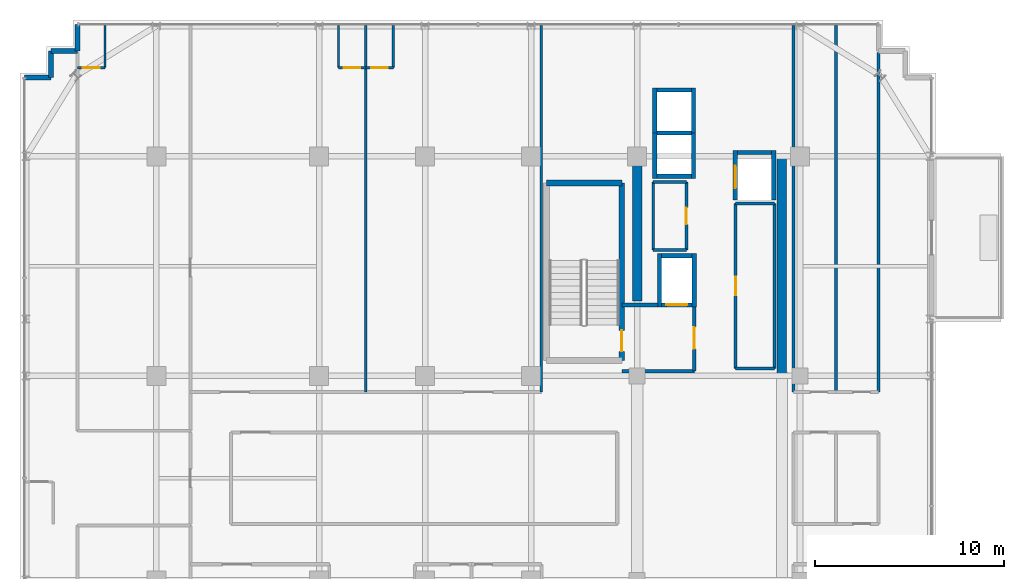
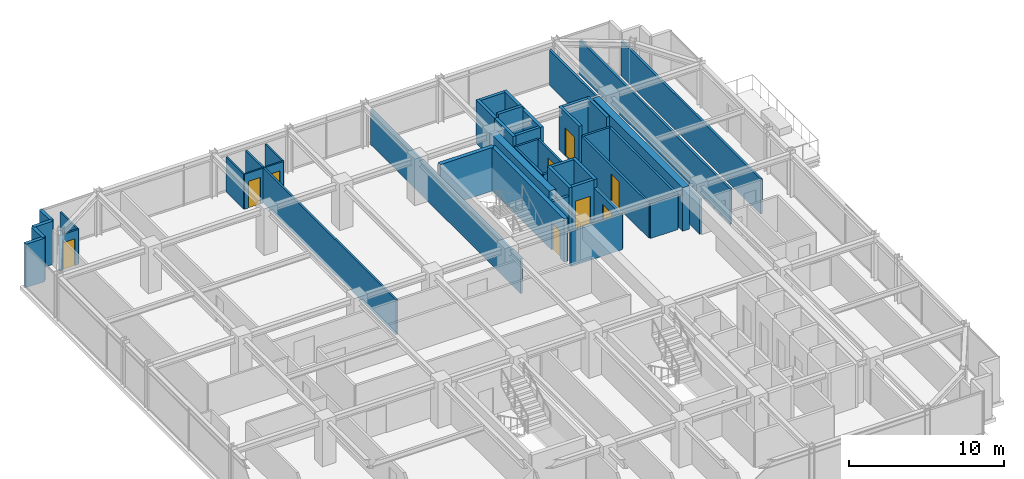
# One storey, part 30 of 34: 44 walls, 9 doors, 9 openings.
"""IFC4 building model written with IfcOpenShell, lengths in metres."""

import ifcopenshell
import ifcopenshell.guid

model = None  # the IFC model being written
_history = None  # IfcOwnerHistory: only IFC2X3 demands one
_inside = {}  # id of a spatial element -> (the spatial element, [elements in it])
_under = {}  # id of a project, library or spatial element -> (it, [spatial elements below it])
_declared = {}  # id of a project -> (the project, [libraries it declares])
_typed = {}  # id of a type object -> (the type object, [elements of that type])
_made_of = {}  # id of a material, layer set ... -> (it, [elements and type objects made of it])


def new_model(schema):
    """Start an empty IFC model of exactly this schema.

    Asked for "IFC4X3", IfcOpenShell would pick the latest addendum, in which some entities
    have other attributes; the version numbers below select the first issue.
    IFC2X3 requires an IfcOwnerHistory on every rooted entity: one is made here for all.
    """
    global model, _history
    if schema == "IFC4X3":
        model = ifcopenshell.file(schema_version=(4, 3, 0, 0))
    else:
        model = ifcopenshell.file(schema=schema)
    _inside.clear()
    _under.clear()
    _declared.clear()
    _typed.clear()
    _made_of.clear()
    _history = None
    if model.schema == "IFC2X3":
        org = make("IfcOrganization", Name="unknown")
        user = make(
            "IfcPersonAndOrganization",
            ThePerson=make("IfcPerson", FamilyName="unknown"),
            TheOrganization=org,
        )
        app = make(
            "IfcApplication",
            ApplicationDeveloper=org,
            Version="unknown",
            ApplicationFullName="unknown",
            ApplicationIdentifier="unknown",
        )
        _history = make(
            "IfcOwnerHistory",
            OwningUser=user,
            OwningApplication=app,
            ChangeAction="ADDED",
            CreationDate=0,
        )
    return model


def make(cls, **values):
    """One entity of the class cls with the attributes given. An attribute that is None is left unset."""
    return model.create_entity(
        cls, **{name: value for name, value in values.items() if value is not None}
    )


def rooted(cls, **values):
    """An entity with a GlobalId (a new one), such as an element, a storey or a relation."""
    return make(cls, GlobalId=ifcopenshell.guid.new(), OwnerHistory=_history, **values)


def si_unit(unit_type, name, prefix=None):
    """IfcSIUnit, for example si_unit("LENGTHUNIT", "METRE", prefix="MILLI")."""
    return make("IfcSIUnit", UnitType=unit_type, Prefix=prefix, Name=name)


def assignment(units):
    """IfcUnitAssignment: the units of a project."""
    return None if units is None else make("IfcUnitAssignment", Units=units)


def point(xyz):
    """IfcCartesianPoint."""
    return None if xyz is None else make("IfcCartesianPoint", Coordinates=xyz)


def direction(xyz):
    """IfcDirection."""
    return None if xyz is None else make("IfcDirection", DirectionRatios=xyz)


def frame(location, z_axis=None, x_axis=None):
    """IfcAxis2Placement3D, a coordinate frame: its origin and axes. An axis left out is left unset."""
    return make(
        "IfcAxis2Placement3D",
        Location=point(location),
        Axis=direction(z_axis),
        RefDirection=direction(x_axis),
    )


def frame_2d(location, x_axis=None):
    """IfcAxis2Placement2D, a coordinate frame in the plane: its origin and x axis."""
    return make(
        "IfcAxis2Placement2D", Location=point(location), RefDirection=direction(x_axis)
    )


def origin():
    """The frame at (0, 0, 0) with its axes left unset."""
    return frame((0.0, 0.0, 0.0))


def place(relative_to, where):
    """IfcLocalPlacement: puts the frame where relative to a parent placement (None: the world)."""
    return make(
        "IfcLocalPlacement", PlacementRelTo=relative_to, RelativePlacement=where
    )


def context(
    kind, dimensions, precision=None, world=None, true_north=None, identifier=None
):
    """IfcGeometricRepresentationContext, for example the 3D "Model" context."""
    return make(
        "IfcGeometricRepresentationContext",
        ContextIdentifier=identifier,
        ContextType=kind,
        CoordinateSpaceDimension=dimensions,
        Precision=precision,
        WorldCoordinateSystem=world,
        TrueNorth=true_north,
    )


def subcontext(parent, identifier, kind, view, scale=None):
    """IfcGeometricRepresentationSubContext, for example "Body" below "Model"."""
    return make(
        "IfcGeometricRepresentationSubContext",
        ContextIdentifier=identifier,
        ContextType=kind,
        ParentContext=parent,
        TargetScale=scale,
        TargetView=view,
    )


def project(units=None, contexts=None):
    """IfcProject with its units and contexts."""
    return rooted(
        "IfcProject",
        Name="project",
        RepresentationContexts=contexts,
        UnitsInContext=assignment(units),
    )


def spatial(cls, under=None, at=None, **own):
    """A site, building, storey or space (cls), placed at a placement, below another one or the project."""
    s = rooted(cls, ObjectPlacement=at, **own)
    if under is not None:
        _under.setdefault(under.id(), (under, []))[1].append(s)
    return s


def profile(cls, at=None, kind="AREA", **sizes):
    """A parametric profile (cls). Its sizes go by their IFC names, for example OverallWidth=200.0."""
    return make(cls, ProfileType=kind, Position=at, **sizes)


def rectangle(**sizes):
    """IfcRectangleProfileDef."""
    return profile("IfcRectangleProfileDef", **sizes)


def extrude(swept, where, along, depth):
    """IfcExtrudedAreaSolid: the profile swept, set in the frame where, extruded along a direction by depth."""
    return make(
        "IfcExtrudedAreaSolid",
        SweptArea=swept,
        Position=where,
        ExtrudedDirection=direction(along),
        Depth=depth,
    )


def shape(context_of_items, identifier, shape_type, items):
    """IfcShapeRepresentation: the items that make up one representation, for example the "Body"."""
    return make(
        "IfcShapeRepresentation",
        ContextOfItems=context_of_items,
        RepresentationIdentifier=identifier,
        RepresentationType=shape_type,
        Items=items,
    )


def source(mapping_origin, context_of_items, identifier, shape_type, items):
    """IfcRepresentationMap: a shape defined once, which mapped items show again and again."""
    return make(
        "IfcRepresentationMap",
        MappingOrigin=mapping_origin,
        MappedRepresentation=shape(context_of_items, identifier, shape_type, items),
    )


def transform(
    local_origin,
    x_axis=None,
    y_axis=None,
    z_axis=None,
    scale=None,
    scale2=None,
    scale3=None,
    uniform=True,
):
    """IfcCartesianTransformationOperator3D, or its non-uniform kind. x_axis, y_axis, z_axis: its Axis1, 2, 3."""
    if uniform:
        return make(
            "IfcCartesianTransformationOperator3D",
            Axis1=direction(x_axis),
            Axis2=direction(y_axis),
            LocalOrigin=point(local_origin),
            Scale=scale,
            Axis3=direction(z_axis),
        )
    return make(
        "IfcCartesianTransformationOperator3DnonUniform",
        Axis1=direction(x_axis),
        Axis2=direction(y_axis),
        LocalOrigin=point(local_origin),
        Scale=scale,
        Axis3=direction(z_axis),
        Scale2=scale2,
        Scale3=scale3,
    )


def mapped(mapping_source, mapping_target):
    """IfcMappedItem: shows the shape of a source again, moved by a transform."""
    return make(
        "IfcMappedItem", MappingSource=mapping_source, MappingTarget=mapping_target
    )


def material(Name=None, Category=None):
    """IfcMaterial."""
    return make("IfcMaterial", Name=Name, Category=Category)


def layer(
    of_material, thickness, ventilated=None, Name=None, Category=None, Priority=None
):
    """IfcMaterialLayer: one layer of a wall or slab, of a material (None: an air gap)."""
    return make(
        "IfcMaterialLayer",
        Material=of_material,
        LayerThickness=thickness,
        IsVentilated=ventilated,
        Name=Name,
        Category=Category,
        Priority=Priority,
    )


def layer_set(layers, Name=None):
    """IfcMaterialLayerSet."""
    return make("IfcMaterialLayerSet", MaterialLayers=layers, LayerSetName=Name)


def made_of(thing, what):
    """Note that an element or type object is made of a material, layer set ...; save() writes the relation."""
    if what is not None:
        _made_of.setdefault(what.id(), (what, []))[1].append(thing)
    return thing


def type_object(cls, material=None, **own):
    """A type object (cls), such as IfcWallType, which elements share."""
    return made_of(rooted(cls, **own), material)


def element(
    cls,
    number,
    at=None,
    inside=None,
    cuts=None,
    type_object=None,
    material=None,
    context=None,
    identifier="Body",
    shape_type=None,
    held_by="IfcProductDefinitionShape",
    body=None,
    shapes=None,
    **own,
):
    """One element of the class cls, such as IfcWall. Its Tag is "e" and its number.

    at: its placement. inside: the storey or other place that contains it. cuts: it is an
    opening in that element (IfcRelVoidsElement). A single representation is given by context,
    identifier, shape_type and body (its items); several are given by shapes. held_by: the class
    of the entity that holds the representations. save() writes the other relations.
    """
    e = rooted(cls, Tag="e%d" % number, ObjectPlacement=at, **own)
    if body is not None:
        shapes = [shape(context, identifier, shape_type, body)]
    if shapes is not None:
        e.Representation = make(held_by, Representations=shapes)
    if inside is not None:
        _inside.setdefault(inside.id(), (inside, []))[1].append(e)
    if cuts is not None:
        rooted(
            "IfcRelVoidsElement", RelatingBuildingElement=cuts, RelatedOpeningElement=e
        )
    if type_object is not None:
        _typed.setdefault(type_object.id(), (type_object, []))[1].append(e)
    return made_of(e, material)


def fill(opening, filler):
    """IfcRelFillsElement: the door or window that sits in an opening."""
    return rooted(
        "IfcRelFillsElement",
        RelatingOpeningElement=opening,
        RelatedBuildingElement=filler,
    )


def aggregate(whole, parts):
    """IfcRelAggregates: a whole, such as a stair, and the parts it consists of."""
    return rooted("IfcRelAggregates", RelatingObject=whole, RelatedObjects=parts)


def save(model, path):
    """Write the relations noted so far, then the file.

    IfcRelAggregates (storeys below a building ...), IfcRelContainedInSpatialStructure (elements
    in a storey), IfcRelDefinesByType, IfcRelAssociatesMaterial and IfcRelDeclares: one each for
    every whole, place, type object, material and project.
    """
    for whole, parts in _under.values():
        aggregate(whole, parts)
    for where, things in _inside.values():
        rooted(
            "IfcRelContainedInSpatialStructure",
            RelatedElements=things,
            RelatingStructure=where,
        )
    for kind, things in _typed.values():
        rooted("IfcRelDefinesByType", RelatedObjects=things, RelatingType=kind)
    for what, things in _made_of.values():
        rooted("IfcRelAssociatesMaterial", RelatedObjects=things, RelatingMaterial=what)
    for by, libraries in _declared.values():
        rooted("IfcRelDeclares", RelatingContext=by, RelatedDefinitions=libraries)
    model.write(path)


model = new_model("IFC4")

# Units and contexts
model_context = context("Model", 3, precision=1e-05, world=origin(), true_north=direction((0.0, 1.0)))
body_context = subcontext(model_context, "Body", "Model", "MODEL_VIEW")
ifc_project = project(units=[si_unit("LENGTHUNIT", "METRE"), si_unit("AREAUNIT", "SQUARE_METRE"), si_unit("VOLUMEUNIT", "CUBIC_METRE"), si_unit("PLANEANGLEUNIT", "RADIAN"), si_unit("MASSUNIT", "GRAM", prefix="KILO")], contexts=[model_context])

# Site, building, storey
site_placement = place(None, origin())
site = spatial("IfcSite", under=ifc_project, at=site_placement, CompositionType="ELEMENT")
building_placement = place(site_placement, origin())
building = spatial("IfcBuilding", under=site, at=building_placement, Name="Nahalor Promenade Grand Hotel", CompositionType="ELEMENT")
storey_placement = place(building_placement, frame((0.0, 0.0, 238.199951171875)))
storey = spatial("IfcBuildingStorey", under=building, at=storey_placement, Name="L61", CompositionType="ELEMENT", Elevation=238.199951171875)

# Walls
ifc_material_1 = material(Name="Concrete B-60 (C50/60)", Category="concrete")
ifc_layer_1 = layer(ifc_material_1, 0.5)
ifc_layer_set_1 = layer_set([ifc_layer_1], Name="Concrete B-60 (C50/60)")
wall_type_1 = type_object("IfcWallType", Name="Wall-CoreShear-500", PredefinedType="SHEAR", material=ifc_layer_set_1)
shared_shape_1 = source(origin(), body_context, "Body", "SweptSolid", [
    extrude(rectangle(XDim=7.64990234375, YDim=0.5, at=frame_2d((3.824951171875, 0.0))), origin(), (0.0, 0.0, 1.0), 3.41015625),
])
wall_1_placement = place(storey_placement, frame((8.39990234375, 9.35009765625, 0.0), z_axis=(0.0, 0.0, 1.0), x_axis=(0.0, 1.0, 0.0)))
element("IfcWall", 1, at=wall_1_placement, inside=storey, type_object=wall_type_1, Name="CWALL-L61-NW", PredefinedType="SHEAR", context=body_context, shape_type="MappedRepresentation", body=[
    mapped(shared_shape_1, transform((0.0, 0.0, 0.0), scale=1.0)),
])
shared_shape_2 = source(origin(), body_context, "Body", "SweptSolid", [
    extrude(rectangle(XDim=11.60009765625, YDim=0.5, at=frame_2d((5.800048828125, 0.0))), origin(), (0.0, 0.0, 1.0), 3.41015625),
])
wall_2_placement = place(storey_placement, frame((16.050048828125, 5.39990234375, 0.0), z_axis=(0.0, 0.0, 1.0), x_axis=(0.0, 1.0, 0.0)))
element("IfcWall", 2, at=wall_2_placement, inside=storey, type_object=wall_type_1, Name="CWALL-L61-NE", PredefinedType="SHEAR", context=body_context, shape_type="MappedRepresentation", body=[
    mapped(shared_shape_2, transform((0.0, 0.0, 0.0), scale=1.0)),
])
ifc_material_2 = material(Name="Concrete B-50 (C40/50)", Category="concrete")
ifc_layer_2 = layer(ifc_material_2, 0.300048828125)
ifc_layer_set_2 = layer_set([ifc_layer_2], Name="Concrete B-50 (C40/50)")
wall_type_2 = type_object("IfcWallType", Name="Wall-ShaftShear-300", PredefinedType="SHEAR", material=ifc_layer_set_2)
shared_shape_3 = source(origin(), body_context, "Body", "SweptSolid", [
    extrude(rectangle(XDim=3.97998046875, YDim=0.300048828125, at=frame_2d((1.989990234375, 0.0))), origin(), (0.0, 0.0, 1.0), 3.41015625),
])
wall_3_placement = place(storey_placement, frame((3.610107421875, 15.590087890625, 0.0), z_axis=(0.0, 0.0, 1.0), x_axis=(1.0, 0.0, 0.0)))
element("IfcWall", 3, at=wall_3_placement, inside=storey, type_object=wall_type_2, Name="L61 Exit Stair ST1 Shaft Wall N", PredefinedType="SHEAR", context=body_context, shape_type="MappedRepresentation", body=[
    mapped(shared_shape_3, transform((0.0, 0.0, 0.0), scale=1.0)),
])

# Wall, opening, door
shared_shape_4 = source(origin(), body_context, "Body", "SweptSolid", [
    extrude(rectangle(XDim=9.380126953125, YDim=0.300048828125, at=frame_2d((4.68994140625, 0.0))), origin(), (0.0, 0.0, 1.0), 3.41015625),
])
wall_4_placement = place(storey_placement, frame((7.590087890625, 6.2099609375, 0.0), z_axis=(0.0, 0.0, 1.0), x_axis=(0.0, 1.0, 0.0)))
wall_4 = element("IfcWall", 4, at=wall_4_placement, inside=storey, type_object=wall_type_2, Name="L61 Exit Stair ST1 Shaft Wall E", PredefinedType="SHEAR", context=body_context, shape_type="MappedRepresentation", body=[
    mapped(shared_shape_4, transform((0.0, 0.0, 0.0), scale=1.0)),
])
opening_1_placement = place(wall_4_placement, frame((0.489990234375, 0.0, 0.0)))
opening_1 = element("IfcOpeningElement", 5, at=opening_1_placement, cuts=wall_4, Name="Opening D-ST1", PredefinedType="OPENING", context=body_context, shape_type="SweptSolid", body=[
    extrude(rectangle(XDim=1.10009765625, YDim=2.14990234375, at=frame_2d((0.550048828125, 1.074951171875))), frame((0.0, 0.159912109375, 0.0), z_axis=(0.0, -1.0, 0.0), x_axis=(1.0, 0.0, 0.0)), (0.0, 0.0, 1.0), 0.320068359375),
])
ifc_material_3 = material(Name="Steel S355JR", Category="steel")
door_type_1 = type_object("IfcDoorType", Name="Door-StairFire-1100", OperationType="NOTDEFINED", PredefinedType="DOOR", material=ifc_material_3)
shared_shape_5 = source(origin(), body_context, "Body", "SweptSolid", [
    extrude(rectangle(XDim=1.10009765625, YDim=2.14990234375, at=frame_2d((0.550048828125, 1.074951171875))), frame((0.0, 0.02490234375, 0.0), z_axis=(0.0, -1.0, 0.0), x_axis=(1.0, 0.0, 0.0)), (0.0, 0.0, 1.0), 0.050048828125),
])
door_1_placement = place(opening_1_placement, origin())
door_1 = element("IfcDoor", 6, at=door_1_placement, inside=storey, type_object=door_type_1, Name="DR-STAIR-ST1-L61", OperationType="SINGLE_SWING_RIGHT", OverallHeight=2.14990234375, OverallWidth=1.10009765625, PredefinedType="DOOR", context=body_context, shape_type="MappedRepresentation", body=[
    mapped(shared_shape_5, transform((0.0, 0.0, 0.0), scale=1.0)),
])
fill(opening_1, door_1)

# Walls
ifc_layer_3 = layer(ifc_material_2, 0.219970703125)
ifc_layer_set_3 = layer_set([ifc_layer_3], Name="Concrete B-50 (C40/50)")
wall_type_3 = type_object("IfcWallType", Name="Wall-LiftShaft-220", PredefinedType="SHEAR", material=ifc_layer_set_3)
shared_shape_6 = source(origin(), body_context, "Body", "SweptSolid", [
    extrude(rectangle(XDim=1.820068359375, YDim=0.219970703125, at=frame_2d((0.91015625, 0.0))), origin(), (0.0, 0.0, 1.0), 3.41015625),
])
for number, where, z_axis, x_axis, name in (
    (7, (9.43994140625, 15.949951171875, 0.0), (0.0, 0.0, 1.0), (1.0, 0.0, 0.0), "L61 Lift OB1 Hoistway Wall S"),
    (8, (9.43994140625, 20.5, 0.0), (0.0, 0.0, 1.0), (1.0, 0.0, 0.0), "L61 Lift OB2 Hoistway Wall N"),
    (9, (13.68994140625, 17.199951171875, 0.0), (0.0, 0.0, 1.0), (1.0, 0.0, 0.0), "L61 Lift SV1 Hoistway Wall N"),
):
    element("IfcWall", number, at=place(storey_placement, frame(where, z_axis=z_axis, x_axis=x_axis)), inside=storey, type_object=wall_type_3, Name=name, PredefinedType="SHEAR", context=body_context, shape_type="MappedRepresentation", body=[
        mapped(shared_shape_6, transform((0.0, 0.0, 0.0), scale=1.0)),
    ])
shared_shape_7 = source(origin(), body_context, "Body", "SweptSolid", [
    extrude(rectangle(XDim=1.820068359375, YDim=0.219970703125, at=frame_2d((0.91015625, 0.0))), origin(), (0.0, 0.0, 1.0), 3.699951171875),
])
wall_5_placement = place(storey_placement, frame((9.43994140625, 18.22509765625, 0.0), z_axis=(0.0, 0.0, 1.0), x_axis=(1.0, 0.0, 0.0)))
element("IfcWall", 10, at=wall_5_placement, inside=storey, type_object=wall_type_3, Name="L61 Lift OB1 Hoistway Wall N", PredefinedType="SHEAR", context=body_context, shape_type="MappedRepresentation", body=[
    mapped(shared_shape_7, transform((0.0, 0.0, 0.0), scale=1.0)),
])
shared_shape_8 = source(origin(), body_context, "Body", "SweptSolid", [
    extrude(rectangle(XDim=2.385009765625, YDim=0.219970703125, at=frame_2d((1.1923828125, 0.0))), origin(), (0.0, 0.0, 1.0), 3.41015625),
])
for number, where, z_axis, x_axis, name in (
    (11, (9.330078125, 15.840087890625, 0.0), (0.0, 0.0, 1.0), (0.0, 1.0, 0.0), "L61 Lift OB1 Hoistway Wall W"),
    (12, (11.3701171875, 15.840087890625, 0.0), (0.0, 0.0, 1.0), (0.0, 1.0, 0.0), "L61 Lift OB1 Hoistway Wall E"),
    (13, (9.330078125, 18.22509765625, 0.0), (0.0, 0.0, 1.0), (0.0, 1.0, 0.0), "L61 Lift OB2 Hoistway Wall W"),
    (14, (11.3701171875, 18.22509765625, 0.0), (0.0, 0.0, 1.0), (0.0, 1.0, 0.0), "L61 Lift OB2 Hoistway Wall E"),
):
    element("IfcWall", number, at=place(storey_placement, frame(where, z_axis=z_axis, x_axis=x_axis)), inside=storey, type_object=wall_type_3, Name=name, PredefinedType="SHEAR", context=body_context, shape_type="MappedRepresentation", body=[
        mapped(shared_shape_8, transform((0.0, 0.0, 0.0), scale=1.0)),
    ])
shared_shape_9 = source(origin(), body_context, "Body", "SweptSolid", [
    extrude(rectangle(XDim=2.820068359375, YDim=0.219970703125, at=frame_2d((1.41015625, 0.0))), origin(), (0.0, 0.0, 1.0), 3.41015625),
])
for number, where, z_axis, x_axis, name in (
    (15, (9.580078125, 9.0400390625, 0.0), (0.0, 0.0, 1.0), (0.0, 1.0, 0.0), "L61 Lift FL1 Hoistway Wall W"),
    (16, (11.419921875, 9.0400390625, 0.0), (0.0, 0.0, 1.0), (0.0, 1.0, 0.0), "L61 Lift FL1 Hoistway Wall E"),
):
    element("IfcWall", number, at=place(storey_placement, frame(where, z_axis=z_axis, x_axis=x_axis)), inside=storey, type_object=wall_type_3, Name=name, PredefinedType="SHEAR", context=body_context, shape_type="MappedRepresentation", body=[
        mapped(shared_shape_9, transform((0.0, 0.0, 0.0), scale=1.0)),
    ])

# Wall, opening, door
shared_shape_10 = source(origin(), body_context, "Body", "SweptSolid", [
    extrude(rectangle(XDim=1.6201171875, YDim=0.219970703125, at=frame_2d((0.81005859375, 0.0))), origin(), (0.0, 0.0, 1.0), 3.41015625),
])
wall_6_placement = place(storey_placement, frame((9.68994140625, 9.14990234375, 0.0), z_axis=(0.0, 0.0, 1.0), x_axis=(1.0, 0.0, 0.0)))
wall_6 = element("IfcWall", 17, at=wall_6_placement, inside=storey, type_object=wall_type_3, Name="L61 Lift FL1 Hoistway Wall S", PredefinedType="SHEAR", context=body_context, shape_type="MappedRepresentation", body=[
    mapped(shared_shape_10, transform((0.0, 0.0, 0.0), scale=1.0)),
])
opening_2_placement = place(wall_6_placement, frame((0.260009765625, 0.0, 0.0)))
opening_2 = element("IfcOpeningElement", 18, at=opening_2_placement, cuts=wall_6, Name="Opening LD-02", PredefinedType="OPENING", context=body_context, shape_type="SweptSolid", body=[
    extrude(rectangle(XDim=1.10009765625, YDim=2.199951171875, at=frame_2d((0.550048828125, 1.10009765625))), frame((0.0, 0.119873046875, 0.0), z_axis=(0.0, -1.0, 0.0), x_axis=(1.0, 0.0, 0.0)), (0.0, 0.0, 1.0), 0.239990234375),
])
door_type_2 = type_object("IfcDoorType", Name="Door-LiftFF-1100", OperationType="DOUBLE_DOOR_SLIDING", PredefinedType="DOOR", material=ifc_material_3)
shared_shape_11 = source(origin(), body_context, "Body", "SweptSolid", [
    extrude(rectangle(XDim=1.10009765625, YDim=2.199951171875, at=frame_2d((0.550048828125, 1.10009765625))), frame((0.0, 0.02490234375, 0.0), z_axis=(0.0, -1.0, 0.0), x_axis=(1.0, 0.0, 0.0)), (0.0, 0.0, 1.0), 0.050048828125),
])
door_2_placement = place(opening_2_placement, frame((1.10009765625, 0.0, 0.0), z_axis=(0.0, 0.0, 1.0), x_axis=(-1.0, 0.0, 0.0)))
door_2 = element("IfcDoor", 19, at=door_2_placement, inside=storey, type_object=door_type_2, Name="DR-LIFT-FL1-L61", OperationType="DOUBLE_DOOR_SLIDING", OverallHeight=2.199951171875, OverallWidth=1.10009765625, PredefinedType="DOOR", context=body_context, shape_type="MappedRepresentation", body=[
    mapped(shared_shape_11, transform((0.0, 0.0, 0.0), scale=1.0)),
])
fill(opening_2, door_2)

# Wall
wall_7_placement = place(storey_placement, frame((9.68994140625, 11.75, 0.0), z_axis=(0.0, 0.0, 1.0), x_axis=(1.0, 0.0, 0.0)))
element("IfcWall", 20, at=wall_7_placement, inside=storey, type_object=wall_type_3, Name="L61 Lift FL1 Hoistway Wall N", PredefinedType="SHEAR", context=body_context, shape_type="MappedRepresentation", body=[
    mapped(shared_shape_10, transform((0.0, 0.0, 0.0), scale=1.0)),
])

# Wall, opening, door
shared_shape_12 = source(origin(), body_context, "Body", "SweptSolid", [
    extrude(rectangle(XDim=2.610107421875, YDim=0.219970703125, at=frame_2d((1.30517578125, 0.0))), origin(), (0.0, 0.0, 1.0), 3.41015625),
])
wall_8_placement = place(storey_placement, frame((13.580078125, 14.699951171875, 0.0), z_axis=(0.0, 0.0, 1.0), x_axis=(0.0, 1.0, 0.0)))
wall_8 = element("IfcWall", 21, at=wall_8_placement, inside=storey, type_object=wall_type_3, Name="L61 Lift SV1 Hoistway Wall W", PredefinedType="SHEAR", context=body_context, shape_type="MappedRepresentation", body=[
    mapped(shared_shape_12, transform((0.0, 0.0, 0.0), scale=1.0)),
])
opening_3_placement = place(wall_8_placement, frame((0.60009765625, 0.0, 0.0)))
opening_3 = element("IfcOpeningElement", 22, at=opening_3_placement, cuts=wall_8, Name="Opening LD-03", PredefinedType="OPENING", context=body_context, shape_type="SweptSolid", body=[
    extrude(rectangle(XDim=1.199951171875, YDim=2.199951171875, at=frame_2d((0.60009765625, 1.10009765625))), frame((0.0, 0.119873046875, 0.0), z_axis=(0.0, -1.0, 0.0), x_axis=(1.0, 0.0, 0.0)), (0.0, 0.0, 1.0), 0.239990234375),
])
door_type_3 = type_object("IfcDoorType", Name="Door-LiftService-1200", OperationType="DOUBLE_DOOR_SLIDING", PredefinedType="DOOR", material=ifc_material_3)
shared_shape_13 = source(origin(), body_context, "Body", "SweptSolid", [
    extrude(rectangle(XDim=1.199951171875, YDim=2.199951171875, at=frame_2d((0.60009765625, 1.10009765625))), frame((0.0, 0.02490234375, 0.0), z_axis=(0.0, -1.0, 0.0), x_axis=(1.0, 0.0, 0.0)), (0.0, 0.0, 1.0), 0.050048828125),
])
door_3_placement = place(opening_3_placement, origin())
door_3 = element("IfcDoor", 23, at=door_3_placement, inside=storey, type_object=door_type_3, Name="DR-LIFT-SV1-L61", OperationType="DOUBLE_DOOR_SLIDING", OverallHeight=2.199951171875, OverallWidth=1.199951171875, PredefinedType="DOOR", context=body_context, shape_type="MappedRepresentation", body=[
    mapped(shared_shape_13, transform((0.0, 0.0, 0.0), scale=1.0)),
])
fill(opening_3, door_3)

# Walls
wall_9_placement = place(storey_placement, frame((15.6201171875, 14.699951171875, 0.0), z_axis=(0.0, 0.0, 1.0), x_axis=(0.0, 1.0, 0.0)))
element("IfcWall", 24, at=wall_9_placement, inside=storey, type_object=wall_type_3, Name="L61 Lift SV1 Hoistway Wall E", PredefinedType="SHEAR", context=body_context, shape_type="MappedRepresentation", body=[
    mapped(shared_shape_12, transform((0.0, 0.0, 0.0), scale=1.0)),
])
ifc_material_4 = material(Name="Concrete B-40 (C32/40)", Category="concrete")
ifc_layer_4 = layer(ifc_material_4, 0.25)
ifc_layer_set_4 = layer_set([ifc_layer_4], Name="Concrete B-40 (C32/40)")
wall_type_4 = type_object("IfcWallType", Name="Wall-BronzePier-250", PredefinedType="STANDARD", material=ifc_layer_set_4)
shared_shape_14 = source(origin(), body_context, "Body", "SweptSolid", [
    extrude(rectangle(XDim=1.39990234375, YDim=0.25, at=frame_2d((0.699951171875, 0.0))), origin(), (0.0, 0.0, 1.0), 3.41015625),
])
for number, where, z_axis, x_axis, name in (
    (25, (-21.159912109375, 22.56005859375, 0.0), (0.0, 0.0, 1.0), (0.0, 1.0, 0.0), "W-L61-SR-09"),
    (26, (-23.9599609375, 21.159912109375, 0.0), (0.0, 0.0, 1.0), (1.0, 0.0, 0.0), "W-L61-SR-12"),
):
    element("IfcWall", number, at=place(storey_placement, frame(where, z_axis=z_axis, x_axis=x_axis)), inside=storey, type_object=wall_type_4, Name=name, PredefinedType="STANDARD", context=body_context, shape_type="MappedRepresentation", body=[
        mapped(shared_shape_14, transform((0.0, 0.0, 0.0), scale=1.0)),
    ])
shared_shape_15 = source(origin(), body_context, "Body", "SweptSolid", [
    extrude(rectangle(XDim=1.400146484375, YDim=0.25, at=frame_2d((0.7001953125, 0.0))), origin(), (0.0, 0.0, 1.0), 3.41015625),
])
for number, where, z_axis, x_axis, name in (
    (27, (-22.56005859375, 22.56005859375, 0.0), (0.0, 0.0, 1.0), (1.0, 0.0, 0.0), "W-L61-SR-10"),
    (28, (-22.56005859375, 21.159912109375, 0.0), (0.0, 0.0, 1.0), (0.0, 1.0, 0.0), "W-L61-SR-11"),
):
    element("IfcWall", number, at=place(storey_placement, frame(where, z_axis=z_axis, x_axis=x_axis)), inside=storey, type_object=wall_type_4, Name=name, PredefinedType="STANDARD", context=body_context, shape_type="MappedRepresentation", body=[
        mapped(shared_shape_15, transform((0.0, 0.0, 0.0), scale=1.0)),
    ])
ifc_layer_5 = layer(ifc_material_4, 0.199951171875)
ifc_layer_set_5 = layer_set([ifc_layer_5], Name="Concrete B-40 (C32/40)")
wall_type_5 = type_object("IfcWallType", Name="Wall-PartFire-200", PredefinedType="PARTITIONING", material=ifc_layer_set_5)
shared_shape_16 = source(origin(), body_context, "Body", "SweptSolid", [
    extrude(rectangle(XDim=3.81982421875, YDim=0.199951171875, at=frame_2d((1.909912109375, 0.0))), origin(), (0.0, 0.0, 1.0), 2.75),
])
wall_10_placement = place(storey_placement, frame((7.60009765625, 5.64990234375, 0.0), z_axis=(0.0, 0.0, 1.0), x_axis=(1.0, 0.0, 0.0)))
element("IfcWall", 29, at=wall_10_placement, inside=storey, type_object=wall_type_5, Name="W-L61-FF1-S", PredefinedType="PARTITIONING", context=body_context, shape_type="MappedRepresentation", body=[
    mapped(shared_shape_16, transform((0.0, 0.0, 0.0), scale=1.0)),
])
shared_shape_17 = source(origin(), body_context, "Body", "SweptSolid", [
    extrude(rectangle(XDim=1.89990234375, YDim=0.199951171875, at=frame_2d((0.949951171875, 0.0))), origin(), (0.0, 0.0, 1.0), 2.75),
])
wall_11_placement = place(storey_placement, frame((7.60009765625, 9.14990234375, 0.0), z_axis=(0.0, 0.0, 1.0), x_axis=(1.0, 0.0, 0.0)))
element("IfcWall", 30, at=wall_11_placement, inside=storey, type_object=wall_type_5, Name="W-L61-FF1-N", PredefinedType="PARTITIONING", context=body_context, shape_type="MappedRepresentation", body=[
    mapped(shared_shape_17, transform((0.0, 0.0, 0.0), scale=1.0)),
])

# Wall, opening, door
shared_shape_18 = source(origin(), body_context, "Body", "SweptSolid", [
    extrude(rectangle(XDim=3.5, YDim=0.199951171875, at=frame_2d((1.75, 0.0))), origin(), (0.0, 0.0, 1.0), 2.75),
])
wall_12_placement = place(storey_placement, frame((11.419921875, 5.64990234375, 0.0), z_axis=(0.0, 0.0, 1.0), x_axis=(0.0, 1.0, 0.0)))
wall_12 = element("IfcWall", 31, at=wall_12_placement, inside=storey, type_object=wall_type_5, Name="W-L61-FF1-E", PredefinedType="PARTITIONING", context=body_context, shape_type="MappedRepresentation", body=[
    mapped(shared_shape_18, transform((0.0, 0.0, 0.0), scale=1.0)),
])
opening_4_placement = place(wall_12_placement, frame((1.175048828125, 0.0, 0.0)))
opening_4 = element("IfcOpeningElement", 32, at=opening_4_placement, cuts=wall_12, Name="Opening D-FF1", PredefinedType="OPENING", context=body_context, shape_type="SweptSolid", body=[
    extrude(rectangle(XDim=1.14990234375, YDim=2.14990234375, at=frame_2d((0.574951171875, 1.074951171875))), frame((0.0, 0.10986328125, 0.0), z_axis=(0.0, -1.0, 0.0), x_axis=(1.0, 0.0, 0.0)), (0.0, 0.0, 1.0), 0.219970703125),
])
door_type_4 = type_object("IfcDoorType", Name="Door-FFLobby-1150", OperationType="NOTDEFINED", PredefinedType="DOOR", material=ifc_material_3)
shared_shape_19 = source(origin(), body_context, "Body", "SweptSolid", [
    extrude(rectangle(XDim=1.14990234375, YDim=2.14990234375, at=frame_2d((0.574951171875, 1.074951171875))), frame((0.0, 0.02490234375, 0.0), z_axis=(0.0, -1.0, 0.0), x_axis=(1.0, 0.0, 0.0)), (0.0, 0.0, 1.0), 0.050048828125),
])
door_4_placement = place(opening_4_placement, frame((1.14990234375, 0.0, 0.0), z_axis=(0.0, 0.0, 1.0), x_axis=(-1.0, 0.0, 0.0)))
door_4 = element("IfcDoor", 33, at=door_4_placement, inside=storey, type_object=door_type_4, Name="DR-L61-FFL1", OperationType="SINGLE_SWING_RIGHT", OverallHeight=2.14990234375, OverallWidth=1.14990234375, PredefinedType="DOOR", context=body_context, shape_type="MappedRepresentation", body=[
    mapped(shared_shape_19, transform((0.0, 0.0, 0.0), scale=1.0)),
])
fill(opening_4, door_4)

# Walls
ifc_material_5 = material(Name="Acoustic Mineral Gypsum", Category="gypsum")
ifc_layer_6 = layer(ifc_material_5, 0.14990234375)
ifc_layer_set_6 = layer_set([ifc_layer_6], Name="Acoustic Mineral Gypsum")
wall_type_6 = type_object("IfcWallType", Name="Wall-PartService-150", PredefinedType="PARTITIONING", material=ifc_layer_set_6)
shared_shape_20 = source(origin(), body_context, "Body", "SweptSolid", [
    extrude(rectangle(XDim=1.75, YDim=0.14990234375, at=frame_2d((0.875, 0.0))), origin(), (0.0, 0.0, 1.0), 2.75),
])
for number, where, z_axis, x_axis, name in (
    (34, (9.25, 12.050048828125, 0.0), (0.0, 0.0, 1.0), (1.0, 0.0, 0.0), "W-L61-CK1A-S"),
    (35, (9.25, 15.64990234375, 0.0), (0.0, 0.0, 1.0), (1.0, 0.0, 0.0), "W-L61-CK1A-N"),
):
    element("IfcWall", number, at=place(storey_placement, frame(where, z_axis=z_axis, x_axis=x_axis)), inside=storey, type_object=wall_type_6, Name=name, PredefinedType="PARTITIONING", context=body_context, shape_type="MappedRepresentation", body=[
        mapped(shared_shape_20, transform((0.0, 0.0, 0.0), scale=1.0)),
    ])
shared_shape_21 = source(origin(), body_context, "Body", "SweptSolid", [
    extrude(rectangle(XDim=3.599853515625, YDim=0.14990234375, at=frame_2d((1.7998046875, 0.0))), origin(), (0.0, 0.0, 1.0), 2.75),
])
wall_13_placement = place(storey_placement, frame((9.25, 12.050048828125, 0.0), z_axis=(0.0, 0.0, 1.0), x_axis=(0.0, 1.0, 0.0)))
element("IfcWall", 36, at=wall_13_placement, inside=storey, type_object=wall_type_6, Name="W-L61-CK1A-W", PredefinedType="PARTITIONING", context=body_context, shape_type="MappedRepresentation", body=[
    mapped(shared_shape_21, transform((0.0, 0.0, 0.0), scale=1.0)),
])

# Wall, opening, door
wall_14_placement = place(storey_placement, frame((11.0, 12.050048828125, 0.0), z_axis=(0.0, 0.0, 1.0), x_axis=(0.0, 1.0, 0.0)))
wall_14 = element("IfcWall", 37, at=wall_14_placement, inside=storey, type_object=wall_type_6, Name="W-L61-CK1A-E", PredefinedType="PARTITIONING", context=body_context, shape_type="MappedRepresentation", body=[
    mapped(shared_shape_21, transform((0.0, 0.0, 0.0), scale=1.0)),
])
opening_5_placement = place(wall_14_placement, frame((1.360107421875, 0.0, 0.0)))
opening_5 = element("IfcOpeningElement", 38, at=opening_5_placement, cuts=wall_14, Name="Opening D-03", PredefinedType="OPENING", context=body_context, shape_type="SweptSolid", body=[
    extrude(rectangle(XDim=0.8798828125, YDim=2.10009765625, at=frame_2d((0.43994140625, 1.050048828125))), frame((0.0, 0.0849609375, 0.0), z_axis=(0.0, -1.0, 0.0), x_axis=(1.0, 0.0, 0.0)), (0.0, 0.0, 1.0), 0.169921875),
])
ifc_material_6 = material(Name="Fire-Rated Timber Composite", Category="wood")
door_type_5 = type_object("IfcDoorType", Name="Door-BathSwing-880", OperationType="NOTDEFINED", PredefinedType="DOOR", material=ifc_material_6)
shared_shape_22 = source(origin(), body_context, "Body", "SweptSolid", [
    extrude(rectangle(XDim=0.8798828125, YDim=2.10009765625, at=frame_2d((0.43994140625, 1.050048828125))), frame((0.0, 0.02490234375, 0.0), z_axis=(0.0, -1.0, 0.0), x_axis=(1.0, 0.0, 0.0)), (0.0, 0.0, 1.0), 0.050048828125),
])
door_5_placement = place(opening_5_placement, origin())
door_5 = element("IfcDoor", 39, at=door_5_placement, inside=storey, type_object=door_type_5, Name="DR-L61-CK1A", OperationType="SINGLE_SWING_RIGHT", OverallHeight=2.10009765625, OverallWidth=0.8798828125, PredefinedType="DOOR", context=body_context, shape_type="MappedRepresentation", body=[
    mapped(shared_shape_22, transform((0.0, 0.0, 0.0), scale=1.0)),
])
fill(opening_5, door_5)

# Walls
ifc_layer_7 = layer(ifc_material_5, 0.159912109375)
ifc_layer_set_7 = layer_set([ifc_layer_7], Name="Acoustic Mineral Gypsum")
wall_type_7 = type_object("IfcWallType", Name="Wall-PartCorridor-160", PredefinedType="PARTITIONING", material=ifc_layer_set_7)
shared_shape_23 = source(origin(), body_context, "Body", "SweptSolid", [
    extrude(rectangle(XDim=2.0498046875, YDim=0.159912109375, at=frame_2d((1.02490234375, 0.0))), origin(), (0.0, 0.0, 1.0), 2.75),
])
for number, where, z_axis, x_axis, name in (
    (40, (13.60009765625, 5.800048828125, 0.0), (0.0, 0.0, 1.0), (1.0, 0.0, 0.0), "W-L61-FRB1-S"),
    (41, (13.60009765625, 14.5, 0.0), (0.0, 0.0, 1.0), (1.0, 0.0, 0.0), "W-L61-FRB1-N"),
):
    element("IfcWall", number, at=place(storey_placement, frame(where, z_axis=z_axis, x_axis=x_axis)), inside=storey, type_object=wall_type_7, Name=name, PredefinedType="PARTITIONING", context=body_context, shape_type="MappedRepresentation", body=[
        mapped(shared_shape_23, transform((0.0, 0.0, 0.0), scale=1.0)),
    ])

# Wall, opening, door
shared_shape_24 = source(origin(), body_context, "Body", "SweptSolid", [
    extrude(rectangle(XDim=8.699951171875, YDim=0.159912109375, at=frame_2d((4.35009765625, 0.0))), origin(), (0.0, 0.0, 1.0), 2.75),
])
wall_15_placement = place(storey_placement, frame((13.60009765625, 5.800048828125, 0.0), z_axis=(0.0, 0.0, 1.0), x_axis=(0.0, 1.0, 0.0)))
wall_15 = element("IfcWall", 42, at=wall_15_placement, inside=storey, type_object=wall_type_7, Name="W-L61-FRB1-W", PredefinedType="PARTITIONING", context=body_context, shape_type="MappedRepresentation", body=[
    mapped(shared_shape_24, transform((0.0, 0.0, 0.0), scale=1.0)),
])
opening_6_placement = place(wall_15_placement, frame((3.85009765625, 0.0, 0.0)))
opening_6 = element("IfcOpeningElement", 43, at=opening_6_placement, cuts=wall_15, Name="Opening D-04", PredefinedType="OPENING", context=body_context, shape_type="SweptSolid", body=[
    extrude(rectangle(XDim=1.0, YDim=2.10009765625, at=frame_2d((0.5, 1.050048828125))), frame((0.0, 0.08984375, 0.0), z_axis=(0.0, -1.0, 0.0), x_axis=(1.0, 0.0, 0.0)), (0.0, 0.0, 1.0), 0.179931640625),
])
door_type_6 = type_object("IfcDoorType", Name="Door-ServiceFire-1000", OperationType="NOTDEFINED", PredefinedType="DOOR", material=ifc_material_3)
shared_shape_25 = source(origin(), body_context, "Body", "SweptSolid", [
    extrude(rectangle(XDim=1.0, YDim=2.10009765625, at=frame_2d((0.5, 1.050048828125))), frame((0.0, 0.02490234375, 0.0), z_axis=(0.0, -1.0, 0.0), x_axis=(1.0, 0.0, 0.0)), (0.0, 0.0, 1.0), 0.050048828125),
])
door_6_placement = place(opening_6_placement, frame((1.0, 0.0, 0.0), z_axis=(0.0, 0.0, 1.0), x_axis=(-1.0, 0.0, 0.0)))
door_6 = element("IfcDoor", 44, at=door_6_placement, inside=storey, type_object=door_type_6, Name="DR-L61-FRB1", OperationType="SINGLE_SWING_LEFT", OverallHeight=2.10009765625, OverallWidth=1.0, PredefinedType="DOOR", context=body_context, shape_type="MappedRepresentation", body=[
    mapped(shared_shape_25, transform((0.0, 0.0, 0.0), scale=1.0)),
])
fill(opening_6, door_6)

# Walls
wall_16_placement = place(storey_placement, frame((15.64990234375, 5.800048828125, 0.0), z_axis=(0.0, 0.0, 1.0), x_axis=(0.0, 1.0, 0.0)))
element("IfcWall", 45, at=wall_16_placement, inside=storey, type_object=wall_type_7, Name="W-L61-FRB1-E", PredefinedType="PARTITIONING", context=body_context, shape_type="MappedRepresentation", body=[
    mapped(shared_shape_24, transform((0.0, 0.0, 0.0), scale=1.0)),
])
shared_shape_26 = source(origin(), body_context, "Body", "SweptSolid", [
    extrude(rectangle(XDim=19.349853515625, YDim=0.159912109375, at=frame_2d((9.6748046875, 0.0))), origin(), (0.0, 0.0, 1.0), 2.75),
])
for number, where, z_axis, x_axis, name in (
    (46, (16.64990234375, 4.550048828125, 0.0), (0.0, 0.0, 1.0), (0.0, 1.0, 0.0), "W-L61-ENE1-W"),
    (47, (18.905029296875, 4.550048828125, 0.0), (0.0, 0.0, 1.0), (0.0, 1.0, 0.0), "W-L61-ENE1-E"),
):
    element("IfcWall", number, at=place(storey_placement, frame(where, z_axis=z_axis, x_axis=x_axis)), inside=storey, type_object=wall_type_7, Name=name, PredefinedType="PARTITIONING", context=body_context, shape_type="MappedRepresentation", body=[
        mapped(shared_shape_26, transform((0.0, 0.0, 0.0), scale=1.0)),
    ])
shared_shape_27 = source(origin(), body_context, "Body", "SweptSolid", [
    extrude(rectangle(XDim=17.929931640625, YDim=0.159912109375, at=frame_2d((8.96484375, 0.0))), origin(), (0.0, 0.0, 1.0), 2.75),
])
wall_17_placement = place(storey_placement, frame((21.159912109375, 4.550048828125, 0.0), z_axis=(0.0, 0.0, 1.0), x_axis=(0.0, 1.0, 0.0)))
element("IfcWall", 48, at=wall_17_placement, inside=storey, type_object=wall_type_7, Name="W-L61-ENE2-E", PredefinedType="PARTITIONING", context=body_context, shape_type="MappedRepresentation", body=[
    mapped(shared_shape_27, transform((0.0, 0.0, 0.0), scale=1.0)),
])

# Wall, opening, door
ifc_layer_8 = layer(ifc_material_5, 0.1201171875)
ifc_layer_set_8 = layer_set([ifc_layer_8], Name="Acoustic Mineral Gypsum")
wall_type_8 = type_object("IfcWallType", Name="Wall-PartBath-120", PredefinedType="PARTITIONING", material=ifc_layer_set_8)
shared_shape_28 = source(origin(), body_context, "Body", "SweptSolid", [
    extrude(rectangle(XDim=1.449951171875, YDim=0.1201171875, at=frame_2d((0.72509765625, 0.0))), origin(), (0.0, 0.0, 1.0), 2.75),
])
wall_18_placement = place(storey_placement, frame((-21.159912109375, 21.679931640625, 0.0), z_axis=(0.0, 0.0, 1.0), x_axis=(1.0, 0.0, 0.0)))
wall_18 = element("IfcWall", 49, at=wall_18_placement, inside=storey, type_object=wall_type_8, Name="W-L61-NW0-BH", PredefinedType="PARTITIONING", context=body_context, shape_type="MappedRepresentation", body=[
    mapped(shared_shape_28, transform((0.0, 0.0, 0.0), scale=1.0)),
])
opening_7_placement = place(wall_18_placement, frame((0.284912109375, 0.0, 0.0)))
opening_7 = element("IfcOpeningElement", 50, at=opening_7_placement, cuts=wall_18, Name="Opening D-03", PredefinedType="OPENING", context=body_context, shape_type="SweptSolid", body=[
    extrude(rectangle(XDim=0.8798828125, YDim=2.10009765625, at=frame_2d((0.43994140625, 1.050048828125))), frame((0.0, 0.070068359375, 0.0), z_axis=(0.0, -1.0, 0.0), x_axis=(1.0, 0.0, 0.0)), (0.0, 0.0, 1.0), 0.14013671875),
])
door_7_placement = place(opening_7_placement, origin())
door_7 = element("IfcDoor", 51, at=door_7_placement, inside=storey, type_object=door_type_5, Name="DR-L61-NW0-BATH", OperationType="SINGLE_SWING_RIGHT", OverallHeight=2.10009765625, OverallWidth=0.8798828125, PredefinedType="DOOR", context=body_context, shape_type="MappedRepresentation", body=[
    mapped(shared_shape_22, transform((0.0, 0.0, 0.0), scale=1.0)),
])
fill(opening_7, door_7)

wall_19_placement = place(storey_placement, frame((-7.3798828125, 21.679931640625, 0.0), z_axis=(0.0, 0.0, 1.0), x_axis=(1.0, 0.0, 0.0)))
wall_19 = element("IfcWall", 52, at=wall_19_placement, inside=storey, type_object=wall_type_8, Name="W-L61-N1-BH", PredefinedType="PARTITIONING", context=body_context, shape_type="MappedRepresentation", body=[
    mapped(shared_shape_28, transform((0.0, 0.0, 0.0), scale=1.0)),
])
opening_8_placement = place(wall_19_placement, frame((0.284912109375, 0.0, 0.0)))
opening_8 = element("IfcOpeningElement", 53, at=opening_8_placement, cuts=wall_19, Name="Opening D-03", PredefinedType="OPENING", context=body_context, shape_type="SweptSolid", body=[
    extrude(rectangle(XDim=0.8798828125, YDim=2.10009765625, at=frame_2d((0.43994140625, 1.050048828125))), frame((0.0, 0.070068359375, 0.0), z_axis=(0.0, -1.0, 0.0), x_axis=(1.0, 0.0, 0.0)), (0.0, 0.0, 1.0), 0.14013671875),
])
door_8_placement = place(opening_8_placement, origin())
door_8 = element("IfcDoor", 54, at=door_8_placement, inside=storey, type_object=door_type_5, Name="DR-L61-N1-BATH", OperationType="SINGLE_SWING_RIGHT", OverallHeight=2.10009765625, OverallWidth=0.8798828125, PredefinedType="DOOR", context=body_context, shape_type="MappedRepresentation", body=[
    mapped(shared_shape_22, transform((0.0, 0.0, 0.0), scale=1.0)),
])
fill(opening_8, door_8)

wall_20_placement = place(storey_placement, frame((-5.929931640625, 21.679931640625, 0.0), z_axis=(0.0, 0.0, 1.0), x_axis=(1.0, 0.0, 0.0)))
wall_20 = element("IfcWall", 55, at=wall_20_placement, inside=storey, type_object=wall_type_8, Name="W-L61-N2-BH", PredefinedType="PARTITIONING", context=body_context, shape_type="MappedRepresentation", body=[
    mapped(shared_shape_28, transform((0.0, 0.0, 0.0), scale=1.0)),
])
opening_9_placement = place(wall_20_placement, frame((0.284912109375, 0.0, 0.0)))
opening_9 = element("IfcOpeningElement", 56, at=opening_9_placement, cuts=wall_20, Name="Opening D-03", PredefinedType="OPENING", context=body_context, shape_type="SweptSolid", body=[
    extrude(rectangle(XDim=0.8798828125, YDim=2.10009765625, at=frame_2d((0.43994140625, 1.050048828125))), frame((0.0, 0.070068359375, 0.0), z_axis=(0.0, -1.0, 0.0), x_axis=(1.0, 0.0, 0.0)), (0.0, 0.0, 1.0), 0.14013671875),
])
door_9_placement = place(opening_9_placement, origin())
door_9 = element("IfcDoor", 57, at=door_9_placement, inside=storey, type_object=door_type_5, Name="DR-L61-N2-BATH", OperationType="SINGLE_SWING_LEFT", OverallHeight=2.10009765625, OverallWidth=0.8798828125, PredefinedType="DOOR", context=body_context, shape_type="MappedRepresentation", body=[
    mapped(shared_shape_22, transform((0.0, 0.0, 0.0), scale=1.0)),
])
fill(opening_9, door_9)

# Walls
shared_shape_29 = source(origin(), body_context, "Body", "SweptSolid", [
    extrude(rectangle(XDim=2.219970703125, YDim=0.1201171875, at=frame_2d((1.10986328125, 0.0))), origin(), (0.0, 0.0, 1.0), 2.75),
])
for number, where, z_axis, x_axis, name in (
    (58, (-19.7099609375, 21.679931640625, 0.0), (0.0, 0.0, 1.0), (0.0, 1.0, 0.0), "W-L61-NW0-BV"),
    (59, (-7.3798828125, 21.679931640625, 0.0), (0.0, 0.0, 1.0), (0.0, 1.0, 0.0), "W-L61-N1-BV"),
    (60, (-4.47998046875, 21.679931640625, 0.0), (0.0, 0.0, 1.0), (0.0, 1.0, 0.0), "W-L61-N2-BV"),
):
    element("IfcWall", number, at=place(storey_placement, frame(where, z_axis=z_axis, x_axis=x_axis)), inside=storey, type_object=wall_type_8, Name=name, PredefinedType="PARTITIONING", context=body_context, shape_type="MappedRepresentation", body=[
        mapped(shared_shape_29, transform((0.0, 0.0, 0.0), scale=1.0)),
    ])
ifc_layer_9 = layer(ifc_material_5, 0.139892578125)
ifc_layer_set_9 = layer_set([ifc_layer_9], Name="Acoustic Mineral Gypsum")
wall_type_9 = type_object("IfcWallType", Name="Wall-PartSuite-140", PredefinedType="PARTITIONING", material=ifc_layer_set_9)
shared_shape_30 = source(origin(), body_context, "Body", "SweptSolid", [
    extrude(rectangle(XDim=19.349853515625, YDim=0.139892578125, at=frame_2d((9.6748046875, 0.0))), origin(), (0.0, 0.0, 1.0), 2.75),
])
for number, where, z_axis, x_axis, name in (
    (61, (3.340087890625, 4.550048828125, 0.0), (0.0, 0.0, 1.0), (0.0, 1.0, 0.0), "W-L61-NW-ENDE"),
    (62, (-5.929931640625, 4.550048828125, 0.0), (0.0, 0.0, 1.0), (0.0, 1.0, 0.0), "W-L61-NP-1"),
):
    element("IfcWall", number, at=place(storey_placement, frame(where, z_axis=z_axis, x_axis=x_axis)), inside=storey, type_object=wall_type_9, Name=name, PredefinedType="PARTITIONING", context=body_context, shape_type="MappedRepresentation", body=[
        mapped(shared_shape_30, transform((0.0, 0.0, 0.0), scale=1.0)),
    ])

save(model, "model.ifc")
